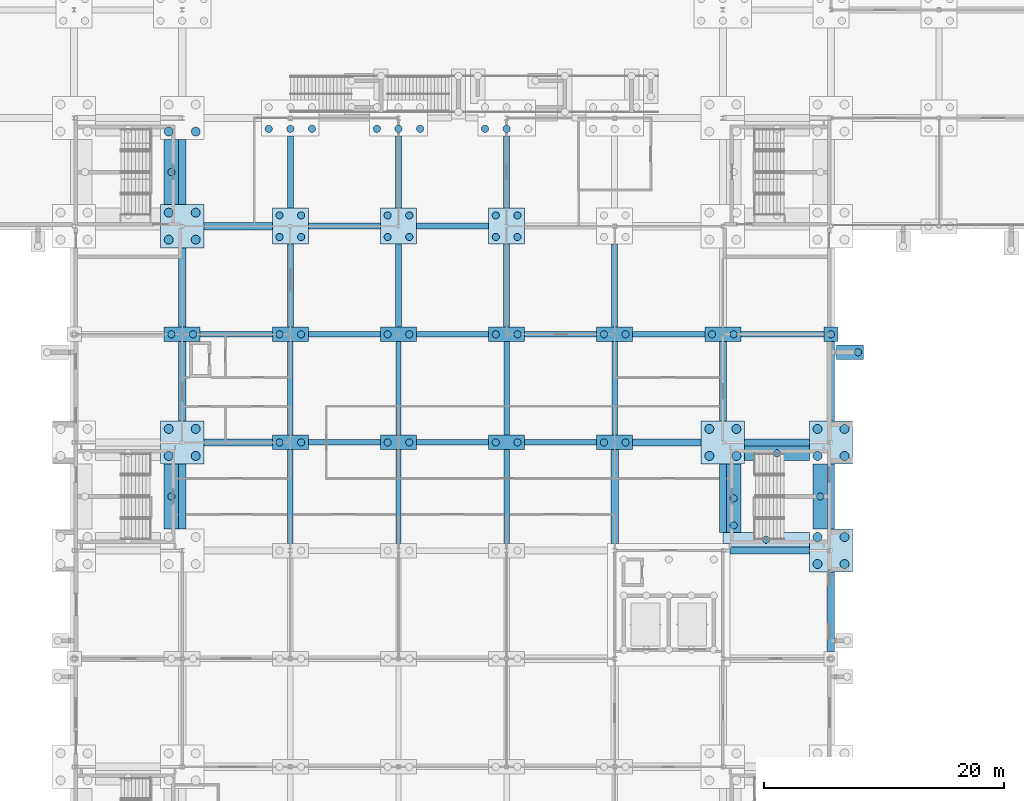
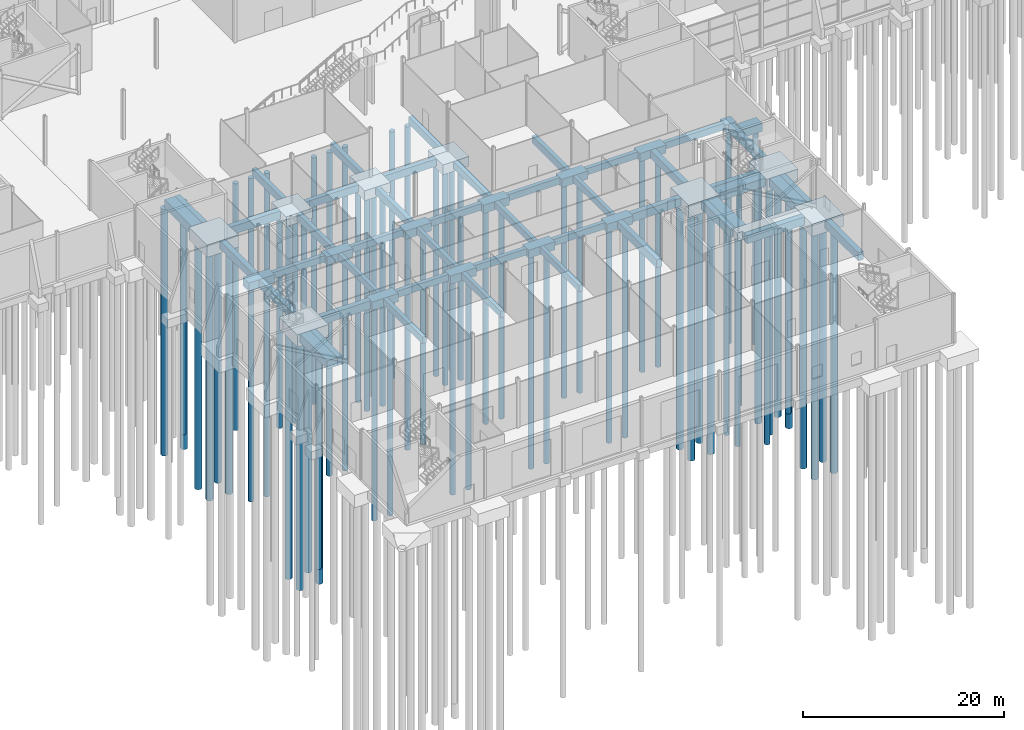
# One storey, part 3 of 139: 71 piles, 66 footings.
"""IFC4 building model written with IfcOpenShell, lengths in metres."""

from ifc_helpers import new_model, si_unit, direction, frame, origin, origin_2d, place, context, subcontext, project, spatial, polyline, rectangle, circle, outline, extrude, material, material_profile, profile_set, type_object, element, save


model = new_model("IFC4")

# Units and contexts
model_context = context("Model", 3, precision=1e-05, world=origin(), true_north=direction((0.0, 1.0)))
body_context = subcontext(model_context, "Body", "Model", "MODEL_VIEW")
ifc_project = project(units=[si_unit("LENGTHUNIT", "METRE"), si_unit("AREAUNIT", "SQUARE_METRE"), si_unit("VOLUMEUNIT", "CUBIC_METRE"), si_unit("PLANEANGLEUNIT", "RADIAN"), si_unit("MASSUNIT", "GRAM", prefix="KILO")], contexts=[model_context])

# Site, building, storey
site_placement = place(None, origin())
site = spatial("IfcSite", under=ifc_project, at=site_placement, CompositionType="ELEMENT")
building_placement = place(site_placement, origin())
building = spatial("IfcBuilding", under=site, at=building_placement, Name="Shorebreak Coast Museum", CompositionType="ELEMENT")
storey_placement = place(building_placement, origin())
storey = spatial("IfcBuildingStorey", under=building, at=storey_placement, Name="L00", CompositionType="ELEMENT", Elevation=0.0)

# Footings
ifc_material_1 = material(Name="Concrete N50 (50 MPa)", Category="concrete")
footing_type_1 = type_object("IfcFootingType", Name="Footing ground beam 450x800", PredefinedType="FOOTING_BEAM", material=ifc_material_1)
for number, where, z_axis, x_axis, name in (
    (1, (72.0, 31.5, -1.10009765625), (0.0, 0.0, 1.0), (1.0, 0.0, 0.0), "Ground beam 9D to 9E"),
    (2, (81.0, 31.5, -1.10009765625), (0.0, 0.0, 1.0), (1.0, 0.0, 0.0), "Ground beam 10D to 10E"),
    (3, (90.0, 31.5, -1.10009765625), (0.0, 0.0, 1.0), (1.0, 0.0, 0.0), "Ground beam 11D to 11E"),
):
    element("IfcFooting", number, at=place(storey_placement, frame(where, z_axis=z_axis, x_axis=x_axis)), inside=storey, type_object=footing_type_1, Name=name, PredefinedType="FOOTING_BEAM", context=body_context, shape_type="SweptSolid", body=[
        extrude(rectangle(XDim=0.449951171875, YDim=7.800048828125, at=origin_2d()), origin(), (0.0, 0.0, 1.0), 0.800048828125),
    ])
footing_1_placement = place(storey_placement, frame((76.5, 36.0, -1.10009765625), z_axis=(0.0, 0.0, 1.0), x_axis=(1.0, 0.0, 0.0)))
element("IfcFooting", 4, at=footing_1_placement, inside=storey, type_object=footing_type_1, Name="Ground beam 9E to 10E", PredefinedType="FOOTING_BEAM", context=body_context, shape_type="SweptSolid", body=[
    extrude(rectangle(XDim=6.0, YDim=0.449951171875, at=origin_2d()), origin(), (0.0, 0.0, 1.0), 0.800048828125),
])
footing_2_placement = place(storey_placement, frame((72.0, 40.5, -1.10009765625), z_axis=(0.0, 0.0, 1.0), x_axis=(1.0, 0.0, 0.0)))
element("IfcFooting", 5, at=footing_2_placement, inside=storey, type_object=footing_type_1, Name="Ground beam 9E to 9F", PredefinedType="FOOTING_BEAM", context=body_context, shape_type="SweptSolid", body=[
    extrude(rectangle(XDim=0.449951171875, YDim=7.800048828125, at=origin_2d()), origin(), (0.0, 0.0, 1.0), 0.800048828125),
])
footing_3_placement = place(storey_placement, frame((85.5, 36.0, -1.10009765625), z_axis=(0.0, 0.0, 1.0), x_axis=(1.0, 0.0, 0.0)))
element("IfcFooting", 6, at=footing_3_placement, inside=storey, type_object=footing_type_1, Name="Ground beam 10E to 11E", PredefinedType="FOOTING_BEAM", context=body_context, shape_type="SweptSolid", body=[
    extrude(rectangle(XDim=6.0, YDim=0.449951171875, at=origin_2d()), origin(), (0.0, 0.0, 1.0), 0.800048828125),
])
footing_4_placement = place(storey_placement, frame((81.0, 40.5, -1.10009765625), z_axis=(0.0, 0.0, 1.0), x_axis=(1.0, 0.0, 0.0)))
element("IfcFooting", 7, at=footing_4_placement, inside=storey, type_object=footing_type_1, Name="Ground beam 10E to 10F", PredefinedType="FOOTING_BEAM", context=body_context, shape_type="SweptSolid", body=[
    extrude(rectangle(XDim=0.449951171875, YDim=7.800048828125, at=origin_2d()), origin(), (0.0, 0.0, 1.0), 0.800048828125),
])
footing_5_placement = place(storey_placement, frame((94.5, 36.0, -1.10009765625), z_axis=(0.0, 0.0, 1.0), x_axis=(1.0, 0.0, 0.0)))
element("IfcFooting", 8, at=footing_5_placement, inside=storey, type_object=footing_type_1, Name="Ground beam 11E to 12E", PredefinedType="FOOTING_BEAM", context=body_context, shape_type="SweptSolid", body=[
    extrude(rectangle(XDim=6.0, YDim=0.449951171875, at=origin_2d()), origin(), (0.0, 0.0, 1.0), 0.800048828125),
])
for number, where, z_axis, x_axis, name in (
    (9, (90.0, 40.5, -1.10009765625), (0.0, 0.0, 1.0), (1.0, 0.0, 0.0), "Ground beam 11E to 11F"),
    (10, (99.0, 40.5, -1.10009765625), (0.0, 0.0, 1.0), (1.0, 0.0, 0.0), "Ground beam 12E to 12F"),
):
    element("IfcFooting", number, at=place(storey_placement, frame(where, z_axis=z_axis, x_axis=x_axis)), inside=storey, type_object=footing_type_1, Name=name, PredefinedType="FOOTING_BEAM", context=body_context, shape_type="SweptSolid", body=[
        extrude(rectangle(XDim=0.449951171875, YDim=7.800048828125, at=origin_2d()), origin(), (0.0, 0.0, 1.0), 0.800048828125),
    ])
for number, where, z_axis, x_axis, name in (
    (11, (67.5, 45.0, -1.10009765625), (0.0, 0.0, 1.0), (1.0, 0.0, 0.0), "Ground beam 8F to 9F"),
    (12, (76.5, 45.0, -1.10009765625), (0.0, 0.0, 1.0), (1.0, 0.0, 0.0), "Ground beam 9F to 10F"),
    (13, (85.5, 45.0, -1.10009765625), (0.0, 0.0, 1.0), (1.0, 0.0, 0.0), "Ground beam 10F to 11F"),
    (14, (94.5, 45.0, -1.10009765625), (0.0, 0.0, 1.0), (1.0, 0.0, 0.0), "Ground beam 11F to 12F"),
    (15, (103.5, 45.0, -1.10009765625), (0.0, 0.0, 1.0), (1.0, 0.0, 0.0), "Ground beam 12F to 13F"),
):
    element("IfcFooting", number, at=place(storey_placement, frame(where, z_axis=z_axis, x_axis=x_axis)), inside=storey, type_object=footing_type_1, Name=name, PredefinedType="FOOTING_BEAM", context=body_context, shape_type="SweptSolid", body=[
        extrude(rectangle(XDim=6.0, YDim=0.449951171875, at=origin_2d()), origin(), (0.0, 0.0, 1.0), 0.800048828125),
    ])
footing_6_placement = place(storey_placement, frame((112.949951171875, 45.0, -1.10009765625), z_axis=(0.0, 0.0, 1.0), x_axis=(1.0, 0.0, 0.0)))
element("IfcFooting", 16, at=footing_6_placement, inside=storey, type_object=footing_type_1, Name="Ground beam 13F to 14F", PredefinedType="FOOTING_BEAM", context=body_context, shape_type="SweptSolid", body=[
    extrude(rectangle(XDim=6.89990234375, YDim=0.449951171875, at=origin_2d()), origin(), (0.0, 0.0, 1.0), 0.800048828125),
])
ifc_material_2 = material(Name="Concrete N50 (50 MPa)", Category="concrete")
footing_type_2 = type_object("IfcFootingType", Name="Footing ground beam 500x900", PredefinedType="FOOTING_BEAM", material=ifc_material_2)
for number, where, z_axis, x_axis, name in (
    (17, (72.0, 49.050048828125, -1.199951171875), (0.0, 0.0, 1.0), (1.0, 0.0, 0.0), "Ground beam 9F to 9G"),
    (18, (81.0, 49.050048828125, -1.199951171875), (0.0, 0.0, 1.0), (1.0, 0.0, 0.0), "Ground beam 10F to 10G"),
    (19, (90.0, 49.050048828125, -1.199951171875), (0.0, 0.0, 1.0), (1.0, 0.0, 0.0), "Ground beam 11F to 11G"),
    (20, (99.0, 49.050048828125, -1.199951171875), (0.0, 0.0, 1.0), (1.0, 0.0, 0.0), "Ground beam 12F to 12G"),
):
    element("IfcFooting", number, at=place(storey_placement, frame(where, z_axis=z_axis, x_axis=x_axis)), inside=storey, type_object=footing_type_2, Name=name, PredefinedType="FOOTING_BEAM", context=body_context, shape_type="SweptSolid", body=[
        extrude(rectangle(XDim=0.5, YDim=6.89990234375, at=origin_2d()), origin(), (0.0, 0.0, 1.0), 0.89990234375),
    ])
footing_7_placement = place(storey_placement, frame((76.5, 54.0, -1.199951171875), z_axis=(0.0, 0.0, 1.0), x_axis=(1.0, 0.0, 0.0)))
element("IfcFooting", 21, at=footing_7_placement, inside=storey, type_object=footing_type_2, Name="Ground beam 9G to 10G", PredefinedType="FOOTING_BEAM", context=body_context, shape_type="SweptSolid", body=[
    extrude(rectangle(XDim=6.0, YDim=0.5, at=origin_2d()), origin(), (0.0, 0.0, 1.0), 0.89990234375),
])
footing_8_placement = place(storey_placement, frame((72.0, 58.5, -1.199951171875), z_axis=(0.0, 0.0, 1.0), x_axis=(1.0, 0.0, 0.0)))
element("IfcFooting", 22, at=footing_8_placement, inside=storey, type_object=footing_type_2, Name="Ground beam 9G to 9H", PredefinedType="FOOTING_BEAM", context=body_context, shape_type="SweptSolid", body=[
    extrude(rectangle(XDim=0.5, YDim=6.0, at=origin_2d()), origin(), (0.0, 0.0, 1.0), 0.89990234375),
])
footing_9_placement = place(storey_placement, frame((85.5, 54.0, -1.199951171875), z_axis=(0.0, 0.0, 1.0), x_axis=(1.0, 0.0, 0.0)))
element("IfcFooting", 23, at=footing_9_placement, inside=storey, type_object=footing_type_2, Name="Ground beam 10G to 11G", PredefinedType="FOOTING_BEAM", context=body_context, shape_type="SweptSolid", body=[
    extrude(rectangle(XDim=6.0, YDim=0.5, at=origin_2d()), origin(), (0.0, 0.0, 1.0), 0.89990234375),
])
for number, where, z_axis, x_axis, name in (
    (24, (81.0, 58.5, -1.199951171875), (0.0, 0.0, 1.0), (1.0, 0.0, 0.0), "Ground beam 10G to 10H"),
    (25, (90.0, 58.5, -1.199951171875), (0.0, 0.0, 1.0), (1.0, 0.0, 0.0), "Ground beam 11G to 11H"),
):
    element("IfcFooting", number, at=place(storey_placement, frame(where, z_axis=z_axis, x_axis=x_axis)), inside=storey, type_object=footing_type_2, Name=name, PredefinedType="FOOTING_BEAM", context=body_context, shape_type="SweptSolid", body=[
        extrude(rectangle(XDim=0.5, YDim=6.0, at=origin_2d()), origin(), (0.0, 0.0, 1.0), 0.89990234375),
    ])
ifc_material_3 = material(Name="Concrete N50 (50 MPa)", Category="concrete")
footing_type_3 = type_object("IfcFootingType", Name="Footing ground beam 600x1000", PredefinedType="FOOTING_BEAM", material=ifc_material_3)
footing_10_placement = place(storey_placement, frame((117.0, 21.89990234375, -1.300048828125), z_axis=(0.0, 0.0, 1.0), x_axis=(1.0, 0.0, 0.0)))
element("IfcFooting", 26, at=footing_10_placement, inside=storey, type_object=footing_type_3, Name="Ground beam 14C to 14D", PredefinedType="FOOTING_BEAM", context=body_context, shape_type="SweptSolid", body=[
    extrude(rectangle(XDim=0.60009765625, YDim=6.60009765625, at=origin_2d()), origin(), (0.0, 0.0, 1.0), 1.0),
])
footing_11_placement = place(storey_placement, frame((63.0, 31.5, -1.300048828125), z_axis=(0.0, 0.0, 1.0), x_axis=(1.0, 0.0, 0.0)))
element("IfcFooting", 27, at=footing_11_placement, inside=storey, type_object=footing_type_3, Name="Ground beam 8D to 8E", PredefinedType="FOOTING_BEAM", context=body_context, shape_type="SweptSolid", body=[
    extrude(rectangle(XDim=0.60009765625, YDim=5.39990234375, at=origin_2d()), origin(), (0.0, 0.0, 1.0), 1.0),
])
footing_12_placement = place(storey_placement, frame((99.0, 31.5, -1.300048828125), z_axis=(0.0, 0.0, 1.0), x_axis=(1.0, 0.0, 0.0)))
element("IfcFooting", 28, at=footing_12_placement, inside=storey, type_object=footing_type_3, Name="Ground beam 12D to 12E", PredefinedType="FOOTING_BEAM", context=body_context, shape_type="SweptSolid", body=[
    extrude(rectangle(XDim=0.60009765625, YDim=7.800048828125, at=origin_2d()), origin(), (0.0, 0.0, 1.0), 1.0),
])
footing_13_placement = place(storey_placement, frame((111.89990234375, 27.0, -1.300048828125), z_axis=(0.0, 0.0, 1.0), x_axis=(1.0, 0.0, 0.0)))
element("IfcFooting", 29, at=footing_13_placement, inside=storey, type_object=footing_type_3, Name="Ground beam 13D to 14D", PredefinedType="FOOTING_BEAM", context=body_context, shape_type="SweptSolid", body=[
    extrude(rectangle(XDim=6.60009765625, YDim=0.60009765625, at=origin_2d()), origin(), (0.0, 0.0, 1.0), 1.0),
])
footing_14_placement = place(storey_placement, frame((108.0, 31.35009765625, -1.300048828125), z_axis=(0.0, 0.0, 1.0), x_axis=(1.0, 0.0, 0.0)))
element("IfcFooting", 30, at=footing_14_placement, inside=storey, type_object=footing_type_3, Name="Ground beam 13D to 13E", PredefinedType="FOOTING_BEAM", context=body_context, shape_type="SweptSolid", body=[
    extrude(rectangle(XDim=0.60009765625, YDim=5.699951171875, at=origin_2d()), origin(), (0.0, 0.0, 1.0), 1.0),
])
footing_15_placement = place(storey_placement, frame((117.0, 31.5, -1.300048828125), z_axis=(0.0, 0.0, 1.0), x_axis=(1.0, 0.0, 0.0)))
element("IfcFooting", 31, at=footing_15_placement, inside=storey, type_object=footing_type_3, Name="Ground beam 14D to 14E", PredefinedType="FOOTING_BEAM", context=body_context, shape_type="SweptSolid", body=[
    extrude(rectangle(XDim=0.60009765625, YDim=5.39990234375, at=origin_2d()), origin(), (0.0, 0.0, 1.0), 1.0),
])
footing_16_placement = place(storey_placement, frame((67.64990234375, 36.0, -1.300048828125), z_axis=(0.0, 0.0, 1.0), x_axis=(1.0, 0.0, 0.0)))
element("IfcFooting", 32, at=footing_16_placement, inside=storey, type_object=footing_type_3, Name="Ground beam 8E to 9E", PredefinedType="FOOTING_BEAM", context=body_context, shape_type="SweptSolid", body=[
    extrude(rectangle(XDim=5.699951171875, YDim=0.60009765625, at=origin_2d()), origin(), (0.0, 0.0, 1.0), 1.0),
])
footing_17_placement = place(storey_placement, frame((63.0, 41.10009765625, -1.300048828125), z_axis=(0.0, 0.0, 1.0), x_axis=(1.0, 0.0, 0.0)))
element("IfcFooting", 33, at=footing_17_placement, inside=storey, type_object=footing_type_3, Name="Ground beam 8E to 8F", PredefinedType="FOOTING_BEAM", context=body_context, shape_type="SweptSolid", body=[
    extrude(rectangle(XDim=0.60009765625, YDim=6.60009765625, at=origin_2d()), origin(), (0.0, 0.0, 1.0), 1.0),
])
footing_18_placement = place(storey_placement, frame((103.35009765625, 36.0, -1.300048828125), z_axis=(0.0, 0.0, 1.0), x_axis=(1.0, 0.0, 0.0)))
element("IfcFooting", 34, at=footing_18_placement, inside=storey, type_object=footing_type_3, Name="Ground beam 12E to 13E", PredefinedType="FOOTING_BEAM", context=body_context, shape_type="SweptSolid", body=[
    extrude(rectangle(XDim=5.699951171875, YDim=0.60009765625, at=origin_2d()), origin(), (0.0, 0.0, 1.0), 1.0),
])
footing_19_placement = place(storey_placement, frame((112.5, 36.0, -1.300048828125), z_axis=(0.0, 0.0, 1.0), x_axis=(1.0, 0.0, 0.0)))
element("IfcFooting", 35, at=footing_19_placement, inside=storey, type_object=footing_type_3, Name="Ground beam 13E to 14E", PredefinedType="FOOTING_BEAM", context=body_context, shape_type="SweptSolid", body=[
    extrude(rectangle(XDim=5.39990234375, YDim=0.60009765625, at=origin_2d()), origin(), (0.0, 0.0, 1.0), 1.0),
])
for number, where, z_axis, x_axis, name in (
    (36, (108.0, 41.10009765625, -1.300048828125), (0.0, 0.0, 1.0), (1.0, 0.0, 0.0), "Ground beam 13E to 13F"),
    (37, (117.0, 41.10009765625, -1.300048828125), (0.0, 0.0, 1.0), (1.0, 0.0, 0.0), "Ground beam 14E to 14F"),
    (38, (63.0, 48.89990234375, -1.300048828125), (0.0, 0.0, 1.0), (1.0, 0.0, 0.0), "Ground beam 8F to 8G"),
):
    element("IfcFooting", number, at=place(storey_placement, frame(where, z_axis=z_axis, x_axis=x_axis)), inside=storey, type_object=footing_type_3, Name=name, PredefinedType="FOOTING_BEAM", context=body_context, shape_type="SweptSolid", body=[
        extrude(rectangle(XDim=0.60009765625, YDim=6.60009765625, at=origin_2d()), origin(), (0.0, 0.0, 1.0), 1.0),
    ])
footing_20_placement = place(storey_placement, frame((67.64990234375, 54.0, -1.300048828125), z_axis=(0.0, 0.0, 1.0), x_axis=(1.0, 0.0, 0.0)))
element("IfcFooting", 39, at=footing_20_placement, inside=storey, type_object=footing_type_3, Name="Ground beam 8G to 9G", PredefinedType="FOOTING_BEAM", context=body_context, shape_type="SweptSolid", body=[
    extrude(rectangle(XDim=5.699951171875, YDim=0.60009765625, at=origin_2d()), origin(), (0.0, 0.0, 1.0), 1.0),
])
footing_21_placement = place(storey_placement, frame((63.0, 58.5, -1.300048828125), z_axis=(0.0, 0.0, 1.0), x_axis=(1.0, 0.0, 0.0)))
element("IfcFooting", 40, at=footing_21_placement, inside=storey, type_object=footing_type_3, Name="Ground beam 8G to 8H", PredefinedType="FOOTING_BEAM", context=body_context, shape_type="SweptSolid", body=[
    extrude(rectangle(XDim=0.60009765625, YDim=5.39990234375, at=origin_2d()), origin(), (0.0, 0.0, 1.0), 1.0),
])
ifc_material_4 = material(Name="Concrete N50 (50 MPa)", Category="concrete")
footing_type_4 = type_object("IfcFootingType", Name="Footing pile cap 1200x1200x1000", PredefinedType="PILE_CAP", material=ifc_material_4)
footing_22_placement = place(storey_placement, frame((117.0, 45.0, -1.300048828125), z_axis=(0.0, 0.0, 1.0), x_axis=(1.0, 0.0, 0.0)))
element("IfcFooting", 41, at=footing_22_placement, inside=storey, type_object=footing_type_4, Name="Pile cap 14F", PredefinedType="PILE_CAP", context=body_context, shape_type="SweptSolid", body=[
    extrude(rectangle(XDim=1.199951171875, YDim=1.199951171875, at=origin_2d()), origin(), (0.0, 0.0, 1.0), 1.0),
])
ifc_material_5 = material(Name="Concrete N50 (50 MPa)", Category="concrete")
footing_type_5 = type_object("IfcFootingType", Name="Footing pile cap 3000x1200x1000", PredefinedType="PILE_CAP", material=ifc_material_5)
for number, where, z_axis, x_axis, name in (
    (42, (72.0, 36.0, -1.300048828125), (0.0, 0.0, 1.0), (1.0, 0.0, 0.0), "Pile cap 9E"),
    (43, (81.0, 36.0, -1.300048828125), (0.0, 0.0, 1.0), (1.0, 0.0, 0.0), "Pile cap 10E"),
    (44, (90.0, 36.0, -1.300048828125), (0.0, 0.0, 1.0), (1.0, 0.0, 0.0), "Pile cap 11E"),
    (45, (99.0, 36.0, -1.300048828125), (0.0, 0.0, 1.0), (1.0, 0.0, 0.0), "Pile cap 12E"),
    (46, (63.0, 45.0, -1.300048828125), (0.0, 0.0, 1.0), (1.0, 0.0, 0.0), "Pile cap 8F"),
    (47, (72.0, 45.0, -1.300048828125), (0.0, 0.0, 1.0), (1.0, 0.0, 0.0), "Pile cap 9F"),
    (48, (81.0, 45.0, -1.300048828125), (0.0, 0.0, 1.0), (1.0, 0.0, 0.0), "Pile cap 10F"),
    (49, (90.0, 45.0, -1.300048828125), (0.0, 0.0, 1.0), (1.0, 0.0, 0.0), "Pile cap 11F"),
    (50, (99.0, 45.0, -1.300048828125), (0.0, 0.0, 1.0), (1.0, 0.0, 0.0), "Pile cap 12F"),
    (51, (108.0, 45.0, -1.300048828125), (0.0, 0.0, 1.0), (1.0, 0.0, 0.0), "Pile cap 13F"),
):
    element("IfcFooting", number, at=place(storey_placement, frame(where, z_axis=z_axis, x_axis=x_axis)), inside=storey, type_object=footing_type_5, Name=name, PredefinedType="PILE_CAP", context=body_context, shape_type="SweptSolid", body=[
        extrude(rectangle(XDim=3.0, YDim=1.199951171875, at=origin_2d()), origin(), (0.0, 0.0, 1.0), 1.0),
    ])
ifc_material_6 = material(Name="Concrete N50 (50 MPa)", Category="concrete")
footing_type_6 = type_object("IfcFootingType", Name="Footing pile cap 3000x3000x1200", PredefinedType="PILE_CAP", material=ifc_material_6)
for number, where, z_axis, x_axis, name in (
    (52, (72.0, 54.0, -1.5), (0.0, 0.0, 1.0), (1.0, 0.0, 0.0), "Pile cap 9G"),
    (53, (81.0, 54.0, -1.5), (0.0, 0.0, 1.0), (1.0, 0.0, 0.0), "Pile cap 10G"),
    (54, (90.0, 54.0, -1.5), (0.0, 0.0, 1.0), (1.0, 0.0, 0.0), "Pile cap 11G"),
):
    element("IfcFooting", number, at=place(storey_placement, frame(where, z_axis=z_axis, x_axis=x_axis)), inside=storey, type_object=footing_type_6, Name=name, PredefinedType="PILE_CAP", context=body_context, shape_type="SweptSolid", body=[
        extrude(rectangle(XDim=3.0, YDim=3.0, at=origin_2d()), origin(), (0.0, 0.0, 1.0), 1.199951171875),
    ])
ifc_material_7 = material(Name="Concrete N50 (50 MPa)", Category="concrete")
footing_type_7 = type_object("IfcFootingType", Name="Footing pile cap 3600x3600x1500", PredefinedType="PILE_CAP", material=ifc_material_7)
for number, where, z_axis, x_axis, name in (
    (55, (117.0, 27.0, -1.800048828125), (0.0, 0.0, 1.0), (1.0, 0.0, 0.0), "Pile cap 14D"),
    (56, (63.0, 36.0, -1.800048828125), (0.0, 0.0, 1.0), (1.0, 0.0, 0.0), "Pile cap 8E"),
    (57, (108.0, 36.0, -1.800048828125), (0.0, 0.0, 1.0), (1.0, 0.0, 0.0), "Pile cap 13E"),
    (58, (117.0, 36.0, -1.800048828125), (0.0, 0.0, 1.0), (1.0, 0.0, 0.0), "Pile cap 14E"),
    (59, (63.0, 54.0, -1.800048828125), (0.0, 0.0, 1.0), (1.0, 0.0, 0.0), "Pile cap 8G"),
):
    element("IfcFooting", number, at=place(storey_placement, frame(where, z_axis=z_axis, x_axis=x_axis)), inside=storey, type_object=footing_type_7, Name=name, PredefinedType="PILE_CAP", context=body_context, shape_type="SweptSolid", body=[
        extrude(rectangle(XDim=3.60009765625, YDim=3.60009765625, at=origin_2d()), origin(), (0.0, 0.0, 1.0), 1.5),
    ])
ifc_material_8 = material(Name="Concrete N50 (50 MPa)", Category="concrete")
footing_type_8 = type_object("IfcFootingType", Name="Footing strip footing 1200x5400x1000", PredefinedType="STRIP_FOOTING", material=ifc_material_8)
for number, where, z_axis, x_axis, name in (
    (60, (62.10009765625, 58.5, -1.300048828125), (0.0, 0.0, 1.0), (1.0, 0.0, 0.0), "Core wall strip footing ST01 east side"),
    (61, (62.10009765625, 31.5, -1.300048828125), (0.0, 0.0, 1.0), (1.0, 0.0, 0.0), "Core wall strip footing ST13 east side"),
    (62, (116.10009765625, 31.5, -1.300048828125), (0.0, 0.0, 1.0), (1.0, 0.0, 0.0), "Core wall strip footing ST14 east side"),
):
    element("IfcFooting", number, at=place(storey_placement, frame(where, z_axis=z_axis, x_axis=x_axis)), inside=storey, type_object=footing_type_8, Name=name, PredefinedType="STRIP_FOOTING", context=body_context, shape_type="SweptSolid", body=[
        extrude(rectangle(XDim=1.199951171875, YDim=5.39990234375, at=origin_2d()), origin(), (0.0, 0.0, 1.0), 1.0),
    ])
ifc_material_9 = material(Name="Concrete N50 (50 MPa)", Category="concrete")
footing_type_9 = type_object("IfcFootingType", Name="Footing strip footing 1200x5700x1000", PredefinedType="STRIP_FOOTING", material=ifc_material_9)
footing_23_placement = place(storey_placement, frame((108.89990234375, 31.35009765625, -1.300048828125), z_axis=(0.0, 0.0, 1.0), x_axis=(1.0, 0.0, 0.0)))
element("IfcFooting", 63, at=footing_23_placement, inside=storey, type_object=footing_type_9, Name="Core wall strip footing ST14 west side", PredefinedType="STRIP_FOOTING", context=body_context, shape_type="SweptSolid", body=[
    extrude(rectangle(XDim=1.199951171875, YDim=5.699951171875, at=origin_2d()), origin(), (0.0, 0.0, 1.0), 1.0),
])
ifc_material_10 = material(Name="Concrete N50 (50 MPa)", Category="concrete")
footing_type_10 = type_object("IfcFootingType", Name="Footing strip footing 2250x1200x1000", PredefinedType="STRIP_FOOTING", material=ifc_material_10)
footing_24_placement = place(storey_placement, frame((118.574951171875, 43.5, -1.300048828125), z_axis=(0.0, 0.0, 1.0), x_axis=(1.0, 0.0, 0.0)))
element("IfcFooting", 64, at=footing_24_placement, inside=storey, type_object=footing_type_10, Name="Fin pad SE46", PredefinedType="STRIP_FOOTING", context=body_context, shape_type="SweptSolid", body=[
    extrude(rectangle(XDim=2.25, YDim=1.199951171875, at=origin_2d()), origin(), (0.0, 0.0, 1.0), 1.0),
])
ifc_material_11 = material(Name="Concrete N50 (50 MPa)", Category="concrete")
footing_type_11 = type_object("IfcFootingType", Name="Footing strip footing 5400x1200x1000", PredefinedType="STRIP_FOOTING", material=ifc_material_11)
footing_25_placement = place(storey_placement, frame((112.5, 35.10009765625, -1.300048828125), z_axis=(0.0, 0.0, 1.0), x_axis=(1.0, 0.0, 0.0)))
element("IfcFooting", 65, at=footing_25_placement, inside=storey, type_object=footing_type_11, Name="Core wall strip footing ST14 north side", PredefinedType="STRIP_FOOTING", context=body_context, shape_type="SweptSolid", body=[
    extrude(rectangle(XDim=5.39990234375, YDim=1.199951171875, at=origin_2d()), origin(), (0.0, 0.0, 1.0), 1.0),
])
ifc_material_12 = material(Name="Concrete N50 (50 MPa)", Category="concrete")
footing_type_12 = type_object("IfcFootingType", Name="Footing strip footing 7200x1200x1000 notched", PredefinedType="STRIP_FOOTING", material=ifc_material_12)
footing_26_placement = place(storey_placement, frame((0.0, 0.0, -1.300048828125)))
element("IfcFooting", 66, at=footing_26_placement, inside=storey, type_object=footing_type_12, Name="Core wall strip footing ST14 south side", PredefinedType="STRIP_FOOTING", context=body_context, shape_type="SweptSolid", body=[
    extrude(outline(polyline([(108.0, 28.5), (115.199951171875, 28.5), (115.199951171875, 27.300048828125), (108.60009765625, 27.300048828125), (108.60009765625, 27.60009765625), (108.0, 27.60009765625), (108.0, 28.5)])), origin(), (0.0, 0.0, 1.0), 1.0),
])

# Piles
ifc_material_13 = material(Name="Concrete N50 (50 MPa)", Category="concrete")
ifc_material_profile_1 = material_profile(ifc_material_13, circle(Radius=0.300048828125, at=origin_2d()), Name="Pile bored 600 length 26")
ifc_profile_set_1 = profile_set([ifc_material_profile_1], Name="Concrete N50 (50 MPa)")
pile_type_1 = type_object("IfcPileType", Name="Pile bored 600 length 26", PredefinedType="BORED", material=ifc_profile_set_1)
for number, where, z_axis, x_axis, name in (
    (67, (71.10009765625, 36.0, -1.300048828125), (0.0, 0.0, -1.0), (1.0, 0.0, 0.0), "Bored pile Pile cap 9E 1"),
    (68, (72.89990234375, 36.0, -1.300048828125), (0.0, 0.0, -1.0), (1.0, 0.0, 0.0), "Bored pile Pile cap 9E 2"),
    (69, (80.10009765625, 36.0, -1.300048828125), (0.0, 0.0, -1.0), (1.0, 0.0, 0.0), "Bored pile Pile cap 10E 1"),
    (70, (81.89990234375, 36.0, -1.300048828125), (0.0, 0.0, -1.0), (1.0, 0.0, 0.0), "Bored pile Pile cap 10E 2"),
    (71, (89.10009765625, 36.0, -1.300048828125), (0.0, 0.0, -1.0), (1.0, 0.0, 0.0), "Bored pile Pile cap 11E 1"),
    (72, (90.89990234375, 36.0, -1.300048828125), (0.0, 0.0, -1.0), (1.0, 0.0, 0.0), "Bored pile Pile cap 11E 2"),
    (73, (98.10009765625, 36.0, -1.300048828125), (0.0, 0.0, -1.0), (1.0, 0.0, 0.0), "Bored pile Pile cap 12E 1"),
    (74, (99.89990234375, 36.0, -1.300048828125), (0.0, 0.0, -1.0), (1.0, 0.0, 0.0), "Bored pile Pile cap 12E 2"),
    (75, (62.10009765625, 45.0, -1.300048828125), (0.0, 0.0, -1.0), (1.0, 0.0, 0.0), "Bored pile Pile cap 8F 1"),
    (76, (63.89990234375, 45.0, -1.300048828125), (0.0, 0.0, -1.0), (1.0, 0.0, 0.0), "Bored pile Pile cap 8F 2"),
    (77, (71.10009765625, 45.0, -1.300048828125), (0.0, 0.0, -1.0), (1.0, 0.0, 0.0), "Bored pile Pile cap 9F 1"),
    (78, (72.89990234375, 45.0, -1.300048828125), (0.0, 0.0, -1.0), (1.0, 0.0, 0.0), "Bored pile Pile cap 9F 2"),
    (79, (80.10009765625, 45.0, -1.300048828125), (0.0, 0.0, -1.0), (1.0, 0.0, 0.0), "Bored pile Pile cap 10F 1"),
    (80, (81.89990234375, 45.0, -1.300048828125), (0.0, 0.0, -1.0), (1.0, 0.0, 0.0), "Bored pile Pile cap 10F 2"),
    (81, (89.10009765625, 45.0, -1.300048828125), (0.0, 0.0, -1.0), (1.0, 0.0, 0.0), "Bored pile Pile cap 11F 1"),
    (82, (90.89990234375, 45.0, -1.300048828125), (0.0, 0.0, -1.0), (1.0, 0.0, 0.0), "Bored pile Pile cap 11F 2"),
    (83, (98.10009765625, 45.0, -1.300048828125), (0.0, 0.0, -1.0), (1.0, 0.0, 0.0), "Bored pile Pile cap 12F 1"),
    (84, (99.89990234375, 45.0, -1.300048828125), (0.0, 0.0, -1.0), (1.0, 0.0, 0.0), "Bored pile Pile cap 12F 2"),
    (85, (107.10009765625, 45.0, -1.300048828125), (0.0, 0.0, -1.0), (1.0, 0.0, 0.0), "Bored pile Pile cap 13F 1"),
    (86, (108.89990234375, 45.0, -1.300048828125), (0.0, 0.0, -1.0), (1.0, 0.0, 0.0), "Bored pile Pile cap 13F 2"),
    (87, (117.0, 45.0, -1.300048828125), (0.0, 0.0, -1.0), (1.0, 0.0, 0.0), "Bored pile Pile cap 14F 1"),
    (88, (71.10009765625, 53.10009765625, -1.5), (0.0, 0.0, -1.0), (1.0, 0.0, 0.0), "Bored pile Pile cap 9G 1"),
    (89, (72.89990234375, 53.10009765625, -1.5), (0.0, 0.0, -1.0), (1.0, 0.0, 0.0), "Bored pile Pile cap 9G 2"),
    (90, (71.10009765625, 54.89990234375, -1.5), (0.0, 0.0, -1.0), (1.0, 0.0, 0.0), "Bored pile Pile cap 9G 3"),
    (91, (72.89990234375, 54.89990234375, -1.5), (0.0, 0.0, -1.0), (1.0, 0.0, 0.0), "Bored pile Pile cap 9G 4"),
    (92, (80.10009765625, 53.10009765625, -1.5), (0.0, 0.0, -1.0), (1.0, 0.0, 0.0), "Bored pile Pile cap 10G 1"),
    (93, (81.89990234375, 53.10009765625, -1.5), (0.0, 0.0, -1.0), (1.0, 0.0, 0.0), "Bored pile Pile cap 10G 2"),
    (94, (80.10009765625, 54.89990234375, -1.5), (0.0, 0.0, -1.0), (1.0, 0.0, 0.0), "Bored pile Pile cap 10G 3"),
    (95, (81.89990234375, 54.89990234375, -1.5), (0.0, 0.0, -1.0), (1.0, 0.0, 0.0), "Bored pile Pile cap 10G 4"),
    (96, (89.10009765625, 53.10009765625, -1.5), (0.0, 0.0, -1.0), (1.0, 0.0, 0.0), "Bored pile Pile cap 11G 1"),
    (97, (90.89990234375, 53.10009765625, -1.5), (0.0, 0.0, -1.0), (1.0, 0.0, 0.0), "Bored pile Pile cap 11G 2"),
    (98, (89.10009765625, 54.89990234375, -1.5), (0.0, 0.0, -1.0), (1.0, 0.0, 0.0), "Bored pile Pile cap 11G 3"),
    (99, (90.89990234375, 54.89990234375, -1.5), (0.0, 0.0, -1.0), (1.0, 0.0, 0.0), "Bored pile Pile cap 11G 4"),
    (100, (62.10009765625, 58.5, -1.300048828125), (0.0, 0.0, -1.0), (1.0, 0.0, 0.0), "Bored pile Core wall strip footing ST01 east side 1"),
    (101, (62.10009765625, 31.5, -1.300048828125), (0.0, 0.0, -1.0), (1.0, 0.0, 0.0), "Bored pile Core wall strip footing ST13 east side 1"),
    (102, (111.60009765625, 27.89990234375, -1.300048828125), (0.0, 0.0, -1.0), (1.0, 0.0, 0.0), "Bored pile Core wall strip footing ST14 south side 1"),
    (103, (112.5, 35.10009765625, -1.300048828125), (0.0, 0.0, -1.0), (1.0, 0.0, 0.0), "Bored pile Core wall strip footing ST14 north side 1"),
    (104, (108.89990234375, 29.10009765625, -1.300048828125), (0.0, 0.0, -1.0), (1.0, 0.0, 0.0), "Bored pile Core wall strip footing ST14 west side 1"),
    (105, (108.89990234375, 31.35009765625, -1.300048828125), (0.0, 0.0, -1.0), (1.0, 0.0, 0.0), "Bored pile Core wall strip footing ST14 west side 2"),
    (106, (116.10009765625, 31.5, -1.300048828125), (0.0, 0.0, -1.0), (1.0, 0.0, 0.0), "Bored pile Core wall strip footing ST14 east side 1"),
    (107, (119.25, 43.5, -1.300048828125), (0.0, 0.0, -1.0), (1.0, 0.0, 0.0), "Bored pile Fin pad SE46 1"),
):
    element("IfcPile", number, at=place(storey_placement, frame(where, z_axis=z_axis, x_axis=x_axis)), inside=storey, type_object=pile_type_1, Name=name, PredefinedType="BORED", context=body_context, shape_type="SweptSolid", body=[
        extrude(circle(Radius=0.300048828125, at=origin_2d()), origin(), (0.0, 0.0, 1.0), 26.0),
    ])
ifc_material_14 = material(Name="Concrete N50 (50 MPa)", Category="concrete")
ifc_material_profile_2 = material_profile(ifc_material_14, circle(Radius=0.300048828125, at=origin_2d()), Name="Pile bored 600 length 30")
ifc_profile_set_2 = profile_set([ifc_material_profile_2], Name="Concrete N50 (50 MPa)")
pile_type_2 = type_object("IfcPileType", Name="Pile bored 600 length 30", PredefinedType="BORED", material=ifc_profile_set_2)
for number, where, z_axis, x_axis, name in (
    (108, (70.199951171875, 62.10009765625, -1.800048828125), (0.0, 0.0, -1.0), (1.0, 0.0, 0.0), "Bored pile Pile cap 9H 1"),
    (109, (72.0, 62.10009765625, -1.800048828125), (0.0, 0.0, -1.0), (1.0, 0.0, 0.0), "Bored pile Pile cap 9H 2"),
    (110, (73.800048828125, 62.10009765625, -1.800048828125), (0.0, 0.0, -1.0), (1.0, 0.0, 0.0), "Bored pile Pile cap 9H 3"),
    (111, (79.199951171875, 62.10009765625, -1.800048828125), (0.0, 0.0, -1.0), (1.0, 0.0, 0.0), "Bored pile Pile cap 10H 1"),
    (112, (81.0, 62.10009765625, -1.800048828125), (0.0, 0.0, -1.0), (1.0, 0.0, 0.0), "Bored pile Pile cap 10H 2"),
    (113, (82.800048828125, 62.10009765625, -1.800048828125), (0.0, 0.0, -1.0), (1.0, 0.0, 0.0), "Bored pile Pile cap 10H 3"),
    (114, (88.199951171875, 62.10009765625, -1.800048828125), (0.0, 0.0, -1.0), (1.0, 0.0, 0.0), "Bored pile Pile cap 11H 1"),
    (115, (90.0, 62.10009765625, -1.800048828125), (0.0, 0.0, -1.0), (1.0, 0.0, 0.0), "Bored pile Pile cap 11H 2"),
):
    element("IfcPile", number, at=place(storey_placement, frame(where, z_axis=z_axis, x_axis=x_axis)), inside=storey, type_object=pile_type_2, Name=name, PredefinedType="BORED", context=body_context, shape_type="SweptSolid", body=[
        extrude(circle(Radius=0.300048828125, at=origin_2d()), origin(), (0.0, 0.0, 1.0), 30.0),
    ])
ifc_material_15 = material(Name="Concrete N50 (50 MPa)", Category="concrete")
ifc_material_profile_3 = material_profile(ifc_material_15, circle(Radius=0.375, at=origin_2d()), Name="Pile bored 750 length 30")
ifc_profile_set_3 = profile_set([ifc_material_profile_3], Name="Concrete N50 (50 MPa)")
pile_type_3 = type_object("IfcPileType", Name="Pile bored 750 length 30", PredefinedType="BORED", material=ifc_profile_set_3)
for number, where, z_axis, x_axis, name in (
    (116, (115.875, 25.875, -1.800048828125), (0.0, 0.0, -1.0), (1.0, 0.0, 0.0), "Bored pile Pile cap 14D 1"),
    (117, (118.125, 25.875, -1.800048828125), (0.0, 0.0, -1.0), (1.0, 0.0, 0.0), "Bored pile Pile cap 14D 2"),
    (118, (115.875, 28.125, -1.800048828125), (0.0, 0.0, -1.0), (1.0, 0.0, 0.0), "Bored pile Pile cap 14D 3"),
    (119, (118.125, 28.125, -1.800048828125), (0.0, 0.0, -1.0), (1.0, 0.0, 0.0), "Bored pile Pile cap 14D 4"),
    (120, (61.875, 34.875, -1.800048828125), (0.0, 0.0, -1.0), (1.0, 0.0, 0.0), "Bored pile Pile cap 8E 1"),
    (121, (64.125, 34.875, -1.800048828125), (0.0, 0.0, -1.0), (1.0, 0.0, 0.0), "Bored pile Pile cap 8E 2"),
    (122, (61.875, 37.125, -1.800048828125), (0.0, 0.0, -1.0), (1.0, 0.0, 0.0), "Bored pile Pile cap 8E 3"),
    (123, (64.125, 37.125, -1.800048828125), (0.0, 0.0, -1.0), (1.0, 0.0, 0.0), "Bored pile Pile cap 8E 4"),
    (124, (106.875, 34.875, -1.800048828125), (0.0, 0.0, -1.0), (1.0, 0.0, 0.0), "Bored pile Pile cap 13E 1"),
    (125, (109.125, 34.875, -1.800048828125), (0.0, 0.0, -1.0), (1.0, 0.0, 0.0), "Bored pile Pile cap 13E 2"),
    (126, (106.875, 37.125, -1.800048828125), (0.0, 0.0, -1.0), (1.0, 0.0, 0.0), "Bored pile Pile cap 13E 3"),
    (127, (109.125, 37.125, -1.800048828125), (0.0, 0.0, -1.0), (1.0, 0.0, 0.0), "Bored pile Pile cap 13E 4"),
    (128, (115.875, 34.875, -1.800048828125), (0.0, 0.0, -1.0), (1.0, 0.0, 0.0), "Bored pile Pile cap 14E 1"),
    (129, (118.125, 34.875, -1.800048828125), (0.0, 0.0, -1.0), (1.0, 0.0, 0.0), "Bored pile Pile cap 14E 2"),
    (130, (115.875, 37.125, -1.800048828125), (0.0, 0.0, -1.0), (1.0, 0.0, 0.0), "Bored pile Pile cap 14E 3"),
    (131, (118.125, 37.125, -1.800048828125), (0.0, 0.0, -1.0), (1.0, 0.0, 0.0), "Bored pile Pile cap 14E 4"),
    (132, (61.875, 52.875, -1.800048828125), (0.0, 0.0, -1.0), (1.0, 0.0, 0.0), "Bored pile Pile cap 8G 1"),
    (133, (64.125, 52.875, -1.800048828125), (0.0, 0.0, -1.0), (1.0, 0.0, 0.0), "Bored pile Pile cap 8G 2"),
    (134, (61.875, 55.125, -1.800048828125), (0.0, 0.0, -1.0), (1.0, 0.0, 0.0), "Bored pile Pile cap 8G 3"),
    (135, (64.125, 55.125, -1.800048828125), (0.0, 0.0, -1.0), (1.0, 0.0, 0.0), "Bored pile Pile cap 8G 4"),
    (136, (61.875, 61.875, -1.800048828125), (0.0, 0.0, -1.0), (1.0, 0.0, 0.0), "Bored pile Pile cap 8H 1"),
    (137, (64.125, 61.875, -1.800048828125), (0.0, 0.0, -1.0), (1.0, 0.0, 0.0), "Bored pile Pile cap 8H 2"),
):
    element("IfcPile", number, at=place(storey_placement, frame(where, z_axis=z_axis, x_axis=x_axis)), inside=storey, type_object=pile_type_3, Name=name, PredefinedType="BORED", context=body_context, shape_type="SweptSolid", body=[
        extrude(circle(Radius=0.375, at=origin_2d()), origin(), (0.0, 0.0, 1.0), 30.0),
    ])

save(model, "model.ifc")
